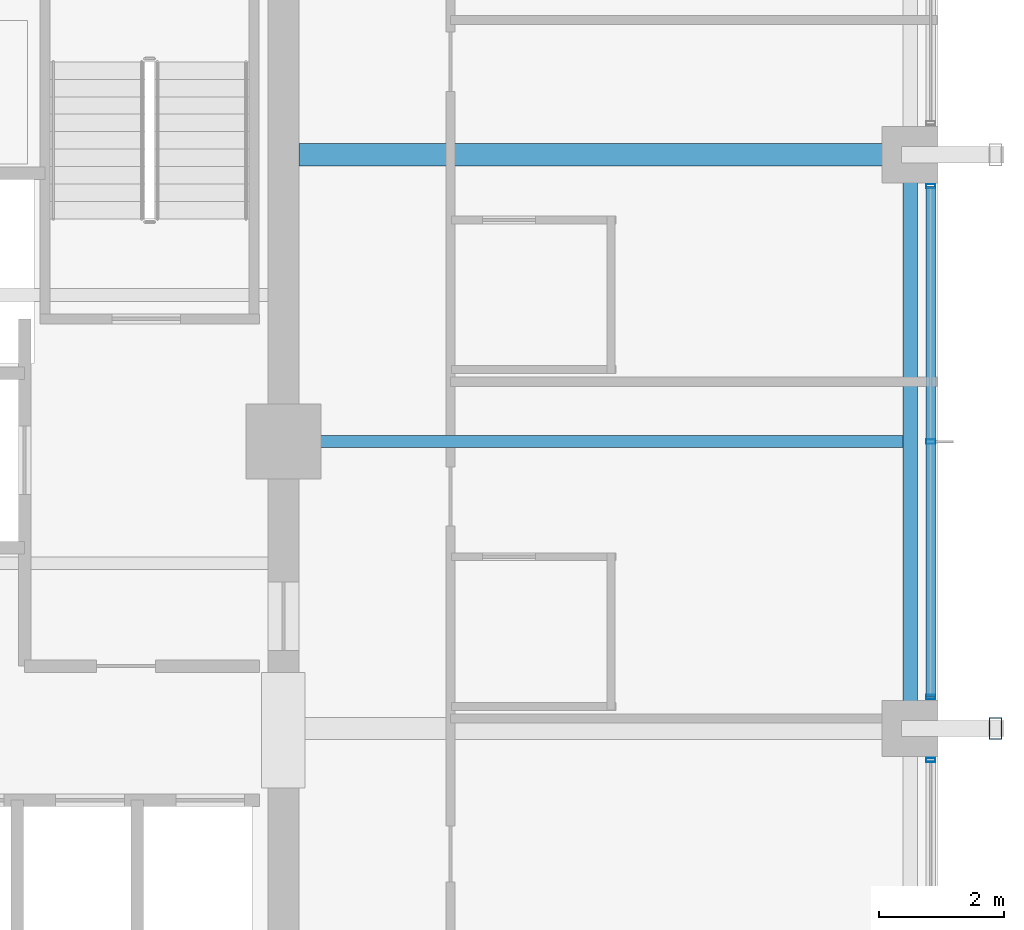
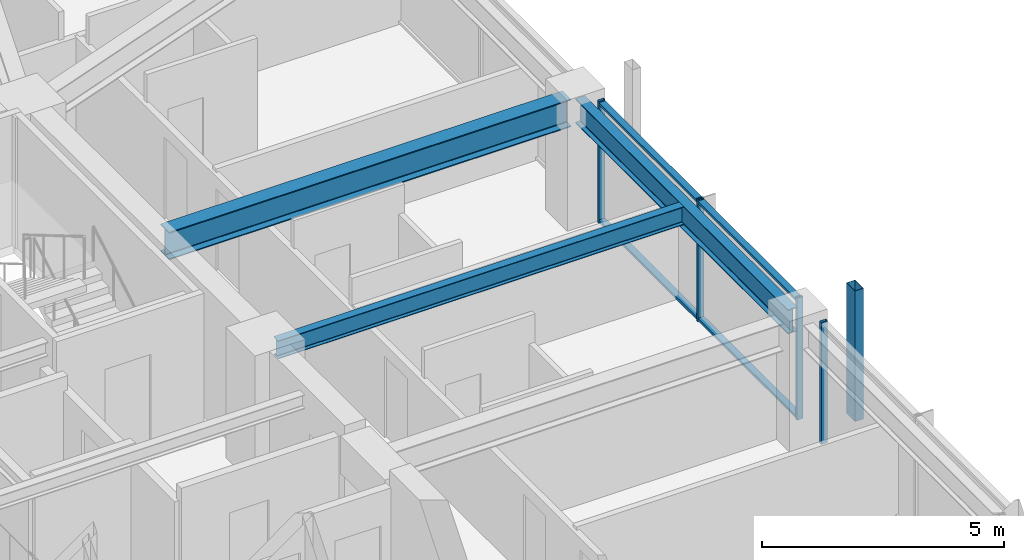
# One storey, part 14 of 37: 7 members, 3 beams, 2 elements without a shape of their own.
"""IFC4 building model written with IfcOpenShell, lengths in metres."""

import ifcopenshell
import ifcopenshell.guid

model = None  # the IFC model being written
_history = None  # IfcOwnerHistory: only IFC2X3 demands one
_inside = {}  # id of a spatial element -> (the spatial element, [elements in it])
_under = {}  # id of a project, library or spatial element -> (it, [spatial elements below it])
_declared = {}  # id of a project -> (the project, [libraries it declares])
_typed = {}  # id of a type object -> (the type object, [elements of that type])
_made_of = {}  # id of a material, layer set ... -> (it, [elements and type objects made of it])


def new_model(schema):
    """Start an empty IFC model of exactly this schema.

    Asked for "IFC4X3", IfcOpenShell would pick the latest addendum, in which some entities
    have other attributes; the version numbers below select the first issue.
    IFC2X3 requires an IfcOwnerHistory on every rooted entity: one is made here for all.
    """
    global model, _history
    if schema == "IFC4X3":
        model = ifcopenshell.file(schema_version=(4, 3, 0, 0))
    else:
        model = ifcopenshell.file(schema=schema)
    _inside.clear()
    _under.clear()
    _declared.clear()
    _typed.clear()
    _made_of.clear()
    _history = None
    if model.schema == "IFC2X3":
        org = make("IfcOrganization", Name="unknown")
        user = make(
            "IfcPersonAndOrganization",
            ThePerson=make("IfcPerson", FamilyName="unknown"),
            TheOrganization=org,
        )
        app = make(
            "IfcApplication",
            ApplicationDeveloper=org,
            Version="unknown",
            ApplicationFullName="unknown",
            ApplicationIdentifier="unknown",
        )
        _history = make(
            "IfcOwnerHistory",
            OwningUser=user,
            OwningApplication=app,
            ChangeAction="ADDED",
            CreationDate=0,
        )
    return model


def make(cls, **values):
    """One entity of the class cls with the attributes given. An attribute that is None is left unset."""
    return model.create_entity(
        cls, **{name: value for name, value in values.items() if value is not None}
    )


def rooted(cls, **values):
    """An entity with a GlobalId (a new one), such as an element, a storey or a relation."""
    return make(cls, GlobalId=ifcopenshell.guid.new(), OwnerHistory=_history, **values)


def si_unit(unit_type, name, prefix=None):
    """IfcSIUnit, for example si_unit("LENGTHUNIT", "METRE", prefix="MILLI")."""
    return make("IfcSIUnit", UnitType=unit_type, Prefix=prefix, Name=name)


def assignment(units):
    """IfcUnitAssignment: the units of a project."""
    return None if units is None else make("IfcUnitAssignment", Units=units)


def point(xyz):
    """IfcCartesianPoint."""
    return None if xyz is None else make("IfcCartesianPoint", Coordinates=xyz)


def direction(xyz):
    """IfcDirection."""
    return None if xyz is None else make("IfcDirection", DirectionRatios=xyz)


def frame(location, z_axis=None, x_axis=None):
    """IfcAxis2Placement3D, a coordinate frame: its origin and axes. An axis left out is left unset."""
    return make(
        "IfcAxis2Placement3D",
        Location=point(location),
        Axis=direction(z_axis),
        RefDirection=direction(x_axis),
    )


def frame_2d(location, x_axis=None):
    """IfcAxis2Placement2D, a coordinate frame in the plane: its origin and x axis."""
    return make(
        "IfcAxis2Placement2D", Location=point(location), RefDirection=direction(x_axis)
    )


def origin():
    """The frame at (0, 0, 0) with its axes left unset."""
    return frame((0.0, 0.0, 0.0))


def origin_2d():
    """The frame at (0, 0) in the plane with its x axis left unset."""
    return frame_2d((0.0, 0.0))


def place(relative_to, where):
    """IfcLocalPlacement: puts the frame where relative to a parent placement (None: the world)."""
    return make(
        "IfcLocalPlacement", PlacementRelTo=relative_to, RelativePlacement=where
    )


def context(
    kind, dimensions, precision=None, world=None, true_north=None, identifier=None
):
    """IfcGeometricRepresentationContext, for example the 3D "Model" context."""
    return make(
        "IfcGeometricRepresentationContext",
        ContextIdentifier=identifier,
        ContextType=kind,
        CoordinateSpaceDimension=dimensions,
        Precision=precision,
        WorldCoordinateSystem=world,
        TrueNorth=true_north,
    )


def subcontext(parent, identifier, kind, view, scale=None):
    """IfcGeometricRepresentationSubContext, for example "Body" below "Model"."""
    return make(
        "IfcGeometricRepresentationSubContext",
        ContextIdentifier=identifier,
        ContextType=kind,
        ParentContext=parent,
        TargetScale=scale,
        TargetView=view,
    )


def project(units=None, contexts=None):
    """IfcProject with its units and contexts."""
    return rooted(
        "IfcProject",
        Name="project",
        RepresentationContexts=contexts,
        UnitsInContext=assignment(units),
    )


def spatial(cls, under=None, at=None, **own):
    """A site, building, storey or space (cls), placed at a placement, below another one or the project."""
    s = rooted(cls, ObjectPlacement=at, **own)
    if under is not None:
        _under.setdefault(under.id(), (under, []))[1].append(s)
    return s


def profile(cls, at=None, kind="AREA", **sizes):
    """A parametric profile (cls). Its sizes go by their IFC names, for example OverallWidth=200.0."""
    return make(cls, ProfileType=kind, Position=at, **sizes)


def hollow_rectangle(**sizes):
    """IfcRectangleHollowProfileDef."""
    return profile("IfcRectangleHollowProfileDef", **sizes)


def i_section(**sizes):
    """IfcIShapeProfileDef."""
    return profile("IfcIShapeProfileDef", **sizes)


def extrude(swept, where, along, depth):
    """IfcExtrudedAreaSolid: the profile swept, set in the frame where, extruded along a direction by depth."""
    return make(
        "IfcExtrudedAreaSolid",
        SweptArea=swept,
        Position=where,
        ExtrudedDirection=direction(along),
        Depth=depth,
    )


def shape(context_of_items, identifier, shape_type, items):
    """IfcShapeRepresentation: the items that make up one representation, for example the "Body"."""
    return make(
        "IfcShapeRepresentation",
        ContextOfItems=context_of_items,
        RepresentationIdentifier=identifier,
        RepresentationType=shape_type,
        Items=items,
    )


def material(Name=None, Category=None):
    """IfcMaterial."""
    return make("IfcMaterial", Name=Name, Category=Category)


def material_profile(
    of_material, cross_section, Name=None, Category=None, Priority=None
):
    """IfcMaterialProfile: a cross section and its material."""
    return make(
        "IfcMaterialProfile",
        Name=Name,
        Material=of_material,
        Profile=cross_section,
        Priority=Priority,
        Category=Category,
    )


def profile_set(profiles, Name=None, composite=None):
    """IfcMaterialProfileSet."""
    return make(
        "IfcMaterialProfileSet",
        Name=Name,
        MaterialProfiles=profiles,
        CompositeProfile=composite,
    )


def made_of(thing, what):
    """Note that an element or type object is made of a material, layer set ...; save() writes the relation."""
    if what is not None:
        _made_of.setdefault(what.id(), (what, []))[1].append(thing)
    return thing


def type_object(cls, material=None, **own):
    """A type object (cls), such as IfcWallType, which elements share."""
    return made_of(rooted(cls, **own), material)


def element(
    cls,
    number,
    at=None,
    inside=None,
    cuts=None,
    type_object=None,
    material=None,
    context=None,
    identifier="Body",
    shape_type=None,
    held_by="IfcProductDefinitionShape",
    body=None,
    shapes=None,
    **own,
):
    """One element of the class cls, such as IfcWall. Its Tag is "e" and its number.

    at: its placement. inside: the storey or other place that contains it. cuts: it is an
    opening in that element (IfcRelVoidsElement). A single representation is given by context,
    identifier, shape_type and body (its items); several are given by shapes. held_by: the class
    of the entity that holds the representations. save() writes the other relations.
    """
    e = rooted(cls, Tag="e%d" % number, ObjectPlacement=at, **own)
    if body is not None:
        shapes = [shape(context, identifier, shape_type, body)]
    if shapes is not None:
        e.Representation = make(held_by, Representations=shapes)
    if inside is not None:
        _inside.setdefault(inside.id(), (inside, []))[1].append(e)
    if cuts is not None:
        rooted(
            "IfcRelVoidsElement", RelatingBuildingElement=cuts, RelatedOpeningElement=e
        )
    if type_object is not None:
        _typed.setdefault(type_object.id(), (type_object, []))[1].append(e)
    return made_of(e, material)


def aggregate(whole, parts):
    """IfcRelAggregates: a whole, such as a stair, and the parts it consists of."""
    return rooted("IfcRelAggregates", RelatingObject=whole, RelatedObjects=parts)


def save(model, path):
    """Write the relations noted so far, then the file.

    IfcRelAggregates (storeys below a building ...), IfcRelContainedInSpatialStructure (elements
    in a storey), IfcRelDefinesByType, IfcRelAssociatesMaterial and IfcRelDeclares: one each for
    every whole, place, type object, material and project.
    """
    for whole, parts in _under.values():
        aggregate(whole, parts)
    for where, things in _inside.values():
        rooted(
            "IfcRelContainedInSpatialStructure",
            RelatedElements=things,
            RelatingStructure=where,
        )
    for kind, things in _typed.values():
        rooted("IfcRelDefinesByType", RelatedObjects=things, RelatingType=kind)
    for what, things in _made_of.values():
        rooted("IfcRelAssociatesMaterial", RelatedObjects=things, RelatingMaterial=what)
    for by, libraries in _declared.values():
        rooted("IfcRelDeclares", RelatingContext=by, RelatedDefinitions=libraries)
    model.write(path)


model = new_model("IFC4")

# Units and contexts
model_context = context("Model", 3, precision=1e-05, world=origin(), true_north=direction((0.0, 1.0)))
body_context = subcontext(model_context, "Body", "Model", "MODEL_VIEW")
ifc_project = project(units=[si_unit("LENGTHUNIT", "METRE"), si_unit("AREAUNIT", "SQUARE_METRE"), si_unit("VOLUMEUNIT", "CUBIC_METRE"), si_unit("PLANEANGLEUNIT", "RADIAN"), si_unit("MASSUNIT", "GRAM", prefix="KILO")], contexts=[model_context])

# Site, building, storey
site_placement = place(None, origin())
site = spatial("IfcSite", under=ifc_project, at=site_placement, CompositionType="ELEMENT")
building_placement = place(site_placement, origin())
building = spatial("IfcBuilding", under=site, at=building_placement, Name="Kolvaren Belvedere", CompositionType="ELEMENT")
storey_placement = place(building_placement, frame((0.0, 0.0, 180.0)))
storey = spatial("IfcBuildingStorey", under=building, at=storey_placement, Name="L52", CompositionType="ELEMENT", Elevation=180.0)

# Beams
ifc_material_1 = material(Name="Structural steel ASTM A992 Grade 50", Category="steel")
ifc_material_profile_1 = material_profile(ifc_material_1, i_section(OverallWidth=0.35498046875, OverallDepth=0.696044921875, WebThickness=0.015380859375, FlangeThickness=0.02490234375, FilletRadius=0.02197265625, at=origin_2d()), Name="W27X146")
ifc_profile_set_1 = profile_set([ifc_material_profile_1], Name="Structural steel ASTM A992 Grade 50")
beam_type_1 = type_object("IfcBeamType", Name="BM-GIRD-W27X146", PredefinedType="BEAM", material=ifc_profile_set_1)
beam_1_placement = place(storey_placement, frame((10.14990234375, 4.60009765625, 2.73193359375), z_axis=(1.0, 0.0, 0.0), x_axis=(0.0, 1.0, 0.0)))
element("IfcBeam", 1, at=beam_1_placement, inside=storey, type_object=beam_type_1, Name="L52 East Radial Girder P", PredefinedType="BEAM", context=body_context, shape_type="SweptSolid", body=[
    extrude(i_section(OverallWidth=0.35498046875, OverallDepth=0.696044921875, WebThickness=0.015380859375, FlangeThickness=0.02490234375, FilletRadius=0.02197265625, at=origin_2d()), origin(), (0.0, 0.0, 1.0), 9.59765625),
])
ifc_material_2 = material(Name="Structural steel ASTM A992 Grade 50", Category="steel")
ifc_material_profile_2 = material_profile(ifc_material_2, i_section(OverallWidth=0.19091796875, OverallDepth=0.4599609375, WebThickness=0.010009765625, FlangeThickness=0.01611328125, FilletRadius=0.014892578125, at=origin_2d()), Name="W18X55")
ifc_profile_set_2 = profile_set([ifc_material_profile_2], Name="Structural steel ASTM A992 Grade 50")
beam_type_2 = type_object("IfcBeamType", Name="BM-JOIST-W18X55", PredefinedType="BEAM", material=ifc_profile_set_2)
beam_2_placement = place(storey_placement, frame((10.14990234375, 0.0, 2.85009765625), z_axis=(1.0, 0.0, 0.0), x_axis=(0.0, 1.0, 0.0)))
element("IfcBeam", 2, at=beam_2_placement, inside=storey, type_object=beam_type_2, Name="L52 East Centre Floor Beam", PredefinedType="BEAM", context=body_context, shape_type="SweptSolid", body=[
    extrude(i_section(OverallWidth=0.19091796875, OverallDepth=0.4599609375, WebThickness=0.010009765625, FlangeThickness=0.01611328125, FilletRadius=0.014892578125, at=origin_2d()), origin(), (0.0, 0.0, 1.0), 9.685546875),
])
ifc_material_3 = material(Name="Structural steel ASTM A992 Grade 50", Category="steel")
ifc_material_profile_3 = material_profile(ifc_material_3, i_section(OverallWidth=0.22900390625, OverallDepth=0.612060546875, WebThickness=0.011962890625, FlangeThickness=0.01953125, FilletRadius=0.01806640625, at=origin_2d()), Name="W24X84")
ifc_profile_set_3 = profile_set([ifc_material_profile_3], Name="Structural steel ASTM A992 Grade 50")
beam_type_3 = type_object("IfcBeamType", Name="BM-SPAN-W24X84", PredefinedType="SPANDREL", material=ifc_profile_set_3)
beam_3_placement = place(storey_placement, frame((19.949951171875, -4.3974609375, 2.77392578125), z_axis=(0.0, 1.0, 0.0), x_axis=(-1.0, 0.0, 0.0)))
element("IfcBeam", 3, at=beam_3_placement, inside=storey, type_object=beam_type_3, Name="L52 Perimeter Spandrel E2-E3", PredefinedType="SPANDREL", context=body_context, shape_type="SweptSolid", body=[
    extrude(i_section(OverallWidth=0.22900390625, OverallDepth=0.612060546875, WebThickness=0.011962890625, FlangeThickness=0.01953125, FilletRadius=0.01806640625, at=origin_2d()), origin(), (0.0, 0.0, 1.0), 8.794921875),
])

# Curtain wall, members
ifc_material_4 = material(Name="Anodised pale-metal aluminium AA 6063-T6", Category="aluminium")
curtain_wall_type = type_object("IfcCurtainWallType", Name="CW-Z5-HIGH", PredefinedType="NOTDEFINED", material=ifc_material_4)
curtain_wall_1_placement = place(storey_placement, origin())
curtain_wall_1 = element("IfcCurtainWall", 4, at=curtain_wall_1_placement, inside=storey, type_object=curtain_wall_type, Name="L52 Unitised Curtain Wall FCW-L52-E-B2", PredefinedType="NOTDEFINED")
ifc_material_5 = material(Name="Anodised pale-metal aluminium AA 6063-T6", Category="aluminium")
ifc_material_profile_4 = material_profile(ifc_material_5, hollow_rectangle(XDim=0.070068359375, YDim=0.14990234375, WallThickness=0.004150390625, at=origin_2d()), Name="ALU-MUL-150X70")
ifc_profile_set_4 = profile_set([ifc_material_profile_4], Name="Anodised pale-metal aluminium AA 6063-T6")
member_type_1 = type_object("IfcMemberType", Name="CW-MUL-150", PredefinedType="MULLION", material=ifc_profile_set_4)
member_1_placement = place(storey_placement, frame((20.280029296875, 4.094970703125, 0.0), z_axis=(0.0, 0.0, 1.0), x_axis=(0.0, 1.0, 0.0)))
member_1 = element("IfcMember", 5, at=member_1_placement, type_object=member_type_1, Name="FCW-L52-E-B2 Unitised Mullion 1", PredefinedType="MULLION", context=body_context, shape_type="SweptSolid", body=[
    extrude(hollow_rectangle(XDim=0.070068359375, YDim=0.14990234375, WallThickness=0.004150390625, at=origin_2d()), origin(), (0.0, 0.0, 1.0), 3.080078125),
])
member_2_placement = place(storey_placement, frame((20.280029296875, 0.0, 0.0), z_axis=(0.0, 0.0, 1.0), x_axis=(0.0, 1.0, 0.0)))
member_2 = element("IfcMember", 6, at=member_2_placement, type_object=member_type_1, Name="FCW-L52-E-B2 Unitised Mullion 2", PredefinedType="MULLION", context=body_context, shape_type="SweptSolid", body=[
    extrude(hollow_rectangle(XDim=0.070068359375, YDim=0.14990234375, WallThickness=0.004150390625, at=origin_2d()), origin(), (0.0, 0.0, 1.0), 3.080078125),
])
member_3_placement = place(storey_placement, frame((20.280029296875, -4.094970703125, 0.0), z_axis=(0.0, 0.0, 1.0), x_axis=(0.0, 1.0, 0.0)))
member_3 = element("IfcMember", 7, at=member_3_placement, type_object=member_type_1, Name="FCW-L52-E-B2 Unitised Mullion 3", PredefinedType="MULLION", context=body_context, shape_type="SweptSolid", body=[
    extrude(hollow_rectangle(XDim=0.070068359375, YDim=0.14990234375, WallThickness=0.004150390625, at=origin_2d()), origin(), (0.0, 0.0, 1.0), 3.080078125),
])

# Curtain wall, member
curtain_wall_2_placement = place(storey_placement, origin())
curtain_wall_2 = element("IfcCurtainWall", 8, at=curtain_wall_2_placement, inside=storey, type_object=curtain_wall_type, Name="L52 Unitised Curtain Wall FCW-L52-E-B3", PredefinedType="NOTDEFINED")
member_4_placement = place(storey_placement, frame((20.280029296875, -5.10498046875, 0.0), z_axis=(0.0, 0.0, 1.0), x_axis=(0.0, 1.0, 0.0)))
member_4 = element("IfcMember", 9, at=member_4_placement, type_object=member_type_1, Name="FCW-L52-E-B3 Unitised Mullion 1", PredefinedType="MULLION", context=body_context, shape_type="SweptSolid", body=[
    extrude(hollow_rectangle(XDim=0.070068359375, YDim=0.14990234375, WallThickness=0.004150390625, at=origin_2d()), origin(), (0.0, 0.0, 1.0), 3.080078125),
])
aggregate(curtain_wall_2, [member_4])

# Member
ifc_material_6 = material(Name="Anodised pale-metal aluminium AA 6063-T6", Category="aluminium")
ifc_material_profile_5 = material_profile(ifc_material_6, hollow_rectangle(XDim=0.06494140625, YDim=0.14990234375, WallThickness=0.00390625, at=origin_2d()), Name="ALU-TRN-150X65")
ifc_profile_set_5 = profile_set([ifc_material_profile_5], Name="Anodised pale-metal aluminium AA 6063-T6")
member_type_2 = type_object("IfcMemberType", Name="CW-TRN-150", PredefinedType="USERDEFINED", material=ifc_profile_set_5)
member_5_placement = place(storey_placement, frame((20.280029296875, 4.094970703125, 0.06005859375), z_axis=(0.0, -1.0, 0.0), x_axis=(0.0, 0.0, 1.0)))
member_5 = element("IfcMember", 10, at=member_5_placement, type_object=member_type_2, Name="FCW-L52-E-B2 Sill Transom", ObjectType="TRANSOM", PredefinedType="USERDEFINED", context=body_context, shape_type="SweptSolid", body=[
    extrude(hollow_rectangle(XDim=0.06494140625, YDim=0.14990234375, WallThickness=0.00390625, at=origin_2d()), origin(), (0.0, 0.0, 1.0), 8.18994140625),
])

member_6_placement = place(storey_placement, frame((20.280029296875, 4.094970703125, 3.02001953125), z_axis=(0.0, -1.0, 0.0), x_axis=(0.0, 0.0, 1.0)))
member_6 = element("IfcMember", 11, at=member_6_placement, type_object=member_type_2, Name="FCW-L52-E-B2 Head Transom", ObjectType="TRANSOM", PredefinedType="USERDEFINED", context=body_context, shape_type="SweptSolid", body=[
    extrude(hollow_rectangle(XDim=0.06494140625, YDim=0.14990234375, WallThickness=0.00390625, at=origin_2d()), origin(), (0.0, 0.0, 1.0), 8.18994140625),
])

aggregate(curtain_wall_1, [member_1, member_2, member_3, member_5, member_6])

ifc_material_7 = material(Name="Anodised pale-metal aluminium AA 6063-T6", Category="aluminium")
ifc_material_profile_6 = material_profile(ifc_material_7, hollow_rectangle(XDim=0.199951171875, YDim=0.35009765625, WallThickness=0.007568359375, at=origin_2d()), Name="ALU-PF-350X200")
ifc_profile_set_6 = profile_set([ifc_material_profile_6], Name="Anodised pale-metal aluminium AA 6063-T6")
member_type_3 = type_object("IfcMemberType", Name="PF-FRAME-350", PredefinedType="USERDEFINED", material=ifc_profile_set_6)
member_7_placement = place(storey_placement, frame((21.320068359375, -4.60009765625, 0.0), z_axis=(0.0, 0.0, 1.0), x_axis=(1.0, 0.0, 0.0)))
element("IfcMember", 12, at=member_7_placement, inside=storey, type_object=member_type_3, Name="L52 Outboard Picture-Frame Vertical E2", ObjectType="PICTURE FRAME FIN", PredefinedType="USERDEFINED", context=body_context, shape_type="SweptSolid", body=[
    extrude(hollow_rectangle(XDim=0.199951171875, YDim=0.35009765625, WallThickness=0.007568359375, at=origin_2d()), origin(), (0.0, 0.0, 1.0), 3.300048828125),
])

save(model, "model.ifc")
